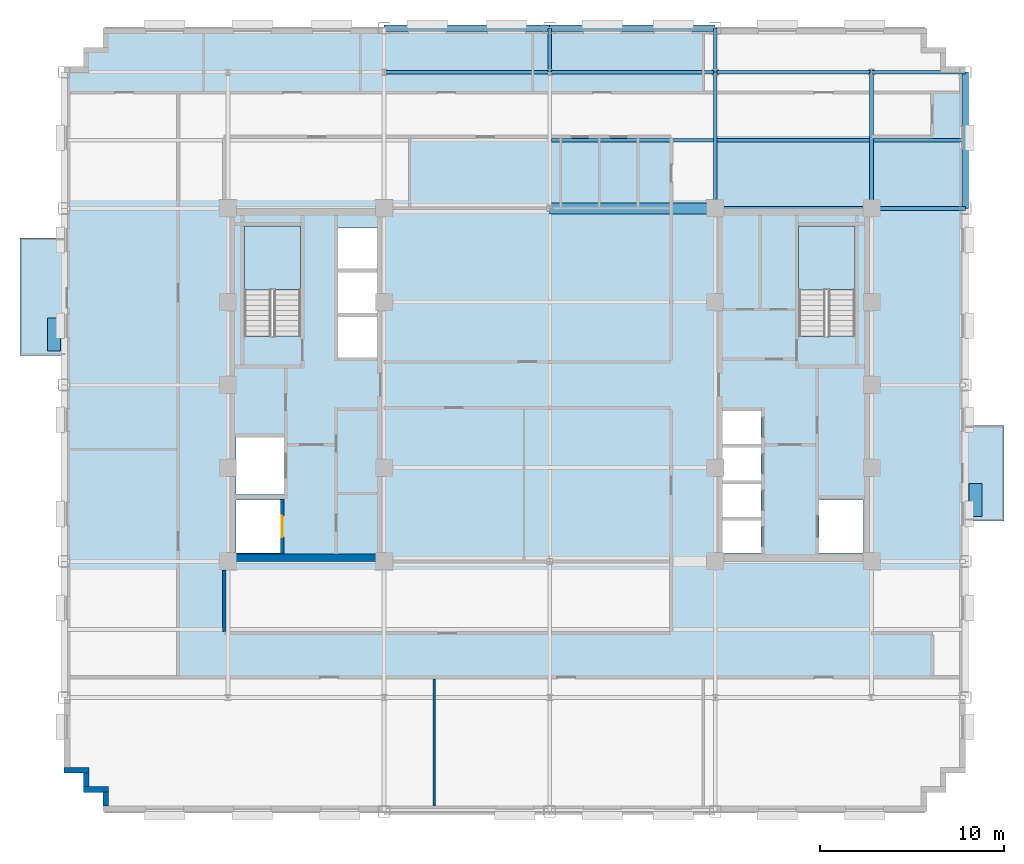
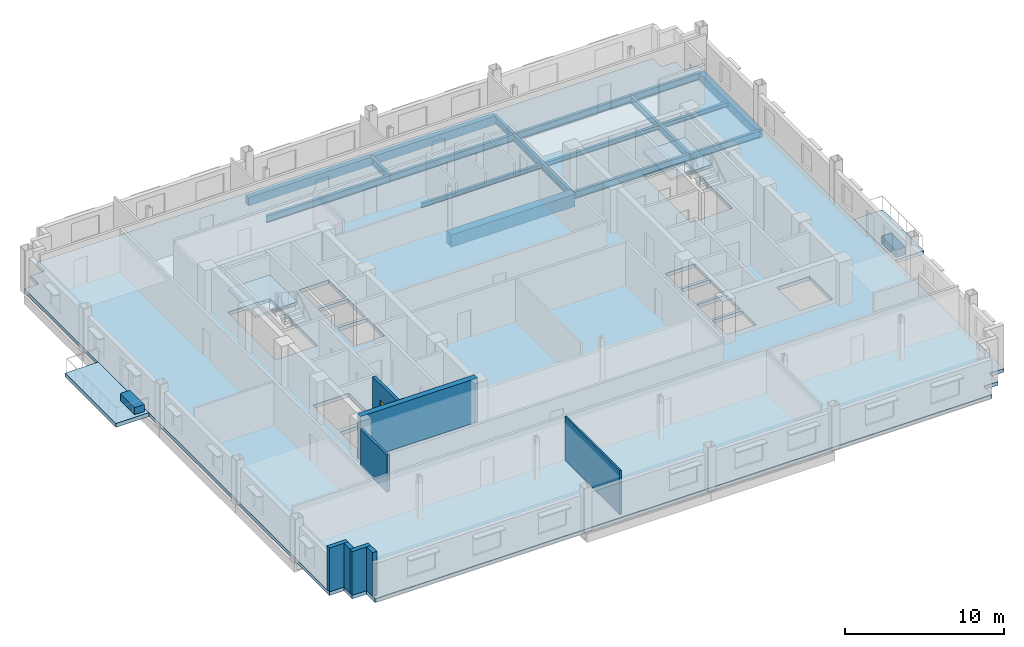
# One storey, part 6 of 14: 17 beams, 8 walls, 5 slabs, 2 plates, 1 door, 1 opening, 2 elements without a shape of their own.
"""IFC4 building model written with IfcOpenShell, lengths in metres."""

from ifc_helpers import new_model, si_unit, direction, frame, frame_2d, origin, origin_2d, place, context, subcontext, project, spatial, polyline, rectangle, i_section, outline, extrude, source, transform, mapped, material, layer, layer_set, material_profile, profile_set, type_object, type_shapes, element, fill, aggregate, save


model = new_model("IFC4")

# Units and contexts
model_context = context("Model", 3, precision=1e-05, world=origin(), true_north=direction((0.0, 1.0)))
body_context = subcontext(model_context, "Body", "Model", "MODEL_VIEW")
ifc_project = project(units=[si_unit("LENGTHUNIT", "METRE"), si_unit("AREAUNIT", "SQUARE_METRE"), si_unit("VOLUMEUNIT", "CUBIC_METRE"), si_unit("PLANEANGLEUNIT", "RADIAN"), si_unit("MASSUNIT", "GRAM", prefix="KILO")], contexts=[model_context])

# Site, building, storey
site_placement = place(None, origin())
site = spatial("IfcSite", under=ifc_project, at=site_placement, CompositionType="ELEMENT")
building_placement = place(site_placement, origin())
building = spatial("IfcBuilding", under=site, at=building_placement, Name="Nuvemarco Arch Tower", CompositionType="ELEMENT")
storey_placement = place(building_placement, frame((0.0, 0.0, 174.949951171875)))
storey = spatial("IfcBuildingStorey", under=building, at=storey_placement, Name="L46", CompositionType="ELEMENT", Elevation=174.949951171875)

# Beams
ifc_material_1 = material(Name="Concrete C60/75", Category="concrete")
ifc_material_profile_1 = material_profile(ifc_material_1, rectangle(XDim=0.60009765625, YDim=0.949951171875, at=origin_2d()), Name="RC-BM-600x950")
ifc_profile_set_1 = profile_set([ifc_material_profile_1], Name="Concrete C60/75")
beam_type_1 = type_object("IfcBeamType", Name="BM-COUP-RC", PredefinedType="LINTEL", material=ifc_profile_set_1)
beam_1_placement = place(storey_placement, frame((0.0, 9.60009765625, -0.7548828125), z_axis=(1.0, 0.0, 0.0), x_axis=(0.0, 1.0, 0.0)))
element("IfcBeam", 1, at=beam_1_placement, inside=storey, type_object=beam_type_1, Name="L46 structural beam BGEW_L46_0_+9.6_+0.0", PredefinedType="LINTEL", context=body_context, shape_type="SweptSolid", body=[
    extrude(rectangle(XDim=0.60009765625, YDim=0.949951171875, at=origin_2d()), origin(), (0.0, 0.0, 1.0), 9.0),
])
ifc_material_2 = material(Name="Steel S355", Category="steel")
ifc_material_profile_2 = material_profile(ifc_material_2, i_section(OverallWidth=0.2109375, OverallDepth=0.5390625, WebThickness=0.01171875, FlangeThickness=0.018798828125, FilletRadius=0.01611328125, at=origin_2d()), Name="W530x109")
ifc_profile_set_2 = profile_set([ifc_material_profile_2], Name="Steel S355")
beam_type_2 = type_object("IfcBeamType", Name="BM-GIRD-530", PredefinedType="BEAM", material=ifc_profile_set_2)
beam_2_placement = place(storey_placement, frame((0.0, 17.0, -0.549560546875), z_axis=(0.0, 1.0, 0.0), x_axis=(-1.0, 0.0, 0.0)))
element("IfcBeam", 2, at=beam_2_placement, inside=storey, type_object=beam_type_2, Name="L46 structural beam BGNS_L46_0_+0.0_+17.0", PredefinedType="BEAM", context=body_context, shape_type="SweptSolid", body=[
    extrude(i_section(OverallWidth=0.2109375, OverallDepth=0.5390625, WebThickness=0.01171875, FlangeThickness=0.018798828125, FilletRadius=0.01611328125, at=origin_2d()), origin(), (0.0, 0.0, 1.0), 2.39990234375),
])
beam_3_placement = place(storey_placement, frame((9.0, 9.60009765625, -0.549560546875), z_axis=(0.0, 1.0, 0.0), x_axis=(-1.0, 0.0, 0.0)))
element("IfcBeam", 3, at=beam_3_placement, inside=storey, type_object=beam_type_2, Name="L46 structural beam BGNS_L46_0_+9.0_+9.6", PredefinedType="BEAM", context=body_context, shape_type="SweptSolid", body=[
    extrude(i_section(OverallWidth=0.2109375, OverallDepth=0.5390625, WebThickness=0.01171875, FlangeThickness=0.018798828125, FilletRadius=0.01611328125, at=origin_2d()), origin(), (0.0, 0.0, 1.0), 7.39990234375),
])
beam_4_placement = place(storey_placement, frame((9.0, 17.0, -0.549560546875), z_axis=(0.0, 1.0, 0.0), x_axis=(-1.0, 0.0, 0.0)))
element("IfcBeam", 4, at=beam_4_placement, inside=storey, type_object=beam_type_2, Name="L46 structural beam BGNS_L46_0_+9.0_+17.0", PredefinedType="BEAM", context=body_context, shape_type="SweptSolid", body=[
    extrude(i_section(OverallWidth=0.2109375, OverallDepth=0.5390625, WebThickness=0.01171875, FlangeThickness=0.018798828125, FilletRadius=0.01611328125, at=origin_2d()), origin(), (0.0, 0.0, 1.0), 2.39990234375),
])
beam_5_placement = place(storey_placement, frame((17.5, 9.60009765625, -0.549560546875), z_axis=(0.0, 1.0, 0.0), x_axis=(-1.0, 0.0, 0.0)))
element("IfcBeam", 5, at=beam_5_placement, inside=storey, type_object=beam_type_2, Name="L46 structural beam BGNS_L46_0_+17.5_+9.6", PredefinedType="BEAM", context=body_context, shape_type="SweptSolid", body=[
    extrude(i_section(OverallWidth=0.2109375, OverallDepth=0.5390625, WebThickness=0.01171875, FlangeThickness=0.018798828125, FilletRadius=0.01611328125, at=origin_2d()), origin(), (0.0, 0.0, 1.0), 7.39990234375),
])
beam_6_placement = place(storey_placement, frame((9.0, 9.60009765625, -0.549560546875), z_axis=(1.0, 0.0, 0.0), x_axis=(0.0, 1.0, 0.0)))
element("IfcBeam", 6, at=beam_6_placement, inside=storey, type_object=beam_type_2, Name="L46 structural beam BGEW_L46_0_+9.6_+9.0", PredefinedType="BEAM", context=body_context, shape_type="SweptSolid", body=[
    extrude(i_section(OverallWidth=0.2109375, OverallDepth=0.5390625, WebThickness=0.01171875, FlangeThickness=0.018798828125, FilletRadius=0.01611328125, at=origin_2d()), origin(), (0.0, 0.0, 1.0), 8.5),
])
beam_7_placement = place(storey_placement, frame((17.5, 9.60009765625, -0.549560546875), z_axis=(1.0, 0.0, 0.0), x_axis=(0.0, 1.0, 0.0)))
element("IfcBeam", 7, at=beam_7_placement, inside=storey, type_object=beam_type_2, Name="L46 structural beam BGEW_L46_0_+9.6_+17.5", PredefinedType="BEAM", context=body_context, shape_type="SweptSolid", body=[
    extrude(i_section(OverallWidth=0.2109375, OverallDepth=0.5390625, WebThickness=0.01171875, FlangeThickness=0.018798828125, FilletRadius=0.01611328125, at=origin_2d()), origin(), (0.0, 0.0, 1.0), 5.10009765625),
])
for number, where, z_axis, x_axis, name in (
    (8, (-9.0, 17.0, -0.549560546875), (1.0, 0.0, 0.0), (0.0, 1.0, 0.0), "L46 structural beam BGEW_L46_0_+17.0_-9.0"),
    (9, (0.0, 17.0, -0.549560546875), (1.0, 0.0, 0.0), (0.0, 1.0, 0.0), "L46 structural beam BGEW_L46_0_+17.0_+0.0"),
):
    element("IfcBeam", number, at=place(storey_placement, frame(where, z_axis=z_axis, x_axis=x_axis)), inside=storey, type_object=beam_type_2, Name=name, PredefinedType="BEAM", context=body_context, shape_type="SweptSolid", body=[
        extrude(i_section(OverallWidth=0.2109375, OverallDepth=0.5390625, WebThickness=0.01171875, FlangeThickness=0.018798828125, FilletRadius=0.01611328125, at=origin_2d()), origin(), (0.0, 0.0, 1.0), 9.0),
    ])
beam_8_placement = place(storey_placement, frame((9.0, 17.0, -0.549560546875), z_axis=(1.0, 0.0, 0.0), x_axis=(0.0, 1.0, 0.0)))
element("IfcBeam", 10, at=beam_8_placement, inside=storey, type_object=beam_type_2, Name="L46 structural beam BGEW_L46_0_+17.0_+9.0", PredefinedType="BEAM", context=body_context, shape_type="SweptSolid", body=[
    extrude(i_section(OverallWidth=0.2109375, OverallDepth=0.5390625, WebThickness=0.01171875, FlangeThickness=0.018798828125, FilletRadius=0.01611328125, at=origin_2d()), origin(), (0.0, 0.0, 1.0), 8.5),
])
beam_9_placement = place(storey_placement, frame((17.5, 17.0, -0.549560546875), z_axis=(1.0, 0.0, 0.0), x_axis=(0.0, 1.0, 0.0)))
element("IfcBeam", 11, at=beam_9_placement, inside=storey, type_object=beam_type_2, Name="L46 structural beam BGEW_L46_0_+17.0_+17.5", PredefinedType="BEAM", context=body_context, shape_type="SweptSolid", body=[
    extrude(i_section(OverallWidth=0.2109375, OverallDepth=0.5390625, WebThickness=0.01171875, FlangeThickness=0.018798828125, FilletRadius=0.01611328125, at=origin_2d()), origin(), (0.0, 0.0, 1.0), 5.10009765625),
])
ifc_material_profile_3 = material_profile(ifc_material_2, i_section(OverallWidth=0.202880859375, OverallDepth=0.346923828125, WebThickness=0.0078125, FlangeThickness=0.013427734375, FilletRadius=0.014892578125, at=origin_2d()), Name="W360x64")
ifc_profile_set_3 = profile_set([ifc_material_profile_3], Name="Steel S355")
beam_type_3 = type_object("IfcBeamType", Name="BM-JOIST-360", PredefinedType="JOIST", material=ifc_profile_set_3)
beam_10_placement = place(storey_placement, frame((0.10546875, 13.300048828125, -0.453369140625), z_axis=(1.0, 0.0, 0.0), x_axis=(0.0, 1.0, 0.0)))
element("IfcBeam", 12, at=beam_10_placement, inside=storey, type_object=beam_type_3, Name="L46 structural beam BJ_L46_0_+13.3_+0.0", PredefinedType="JOIST", context=body_context, shape_type="SweptSolid", body=[
    extrude(i_section(OverallWidth=0.202880859375, OverallDepth=0.346923828125, WebThickness=0.0078125, FlangeThickness=0.013427734375, FilletRadius=0.014892578125, at=origin_2d()), origin(), (0.0, 0.0, 1.0), 8.7890625),
])
beam_11_placement = place(storey_placement, frame((9.10546875, 13.300048828125, -0.453369140625), z_axis=(1.0, 0.0, 0.0), x_axis=(0.0, 1.0, 0.0)))
element("IfcBeam", 13, at=beam_11_placement, inside=storey, type_object=beam_type_3, Name="L46 structural beam BJ_L46_0_+13.3_+9.0", PredefinedType="JOIST", context=body_context, shape_type="SweptSolid", body=[
    extrude(i_section(OverallWidth=0.202880859375, OverallDepth=0.346923828125, WebThickness=0.0078125, FlangeThickness=0.013427734375, FilletRadius=0.014892578125, at=origin_2d()), origin(), (0.0, 0.0, 1.0), 8.2890625),
])
beam_12_placement = place(storey_placement, frame((17.60546875, 13.300048828125, -0.453369140625), z_axis=(1.0, 0.0, 0.0), x_axis=(0.0, 1.0, 0.0)))
element("IfcBeam", 14, at=beam_12_placement, inside=storey, type_object=beam_type_3, Name="L46 structural beam BJ_L46_0_+13.3_+17.5", PredefinedType="JOIST", context=body_context, shape_type="SweptSolid", body=[
    extrude(i_section(OverallWidth=0.202880859375, OverallDepth=0.346923828125, WebThickness=0.0078125, FlangeThickness=0.013427734375, FilletRadius=0.014892578125, at=origin_2d()), origin(), (0.0, 0.0, 1.0), 4.819580078125),
])
ifc_material_3 = material(Name="Precast concrete C45/55", Category="concrete")
ifc_material_profile_4 = material_profile(ifc_material_3, rectangle(XDim=0.35009765625, YDim=0.64990234375, at=origin_2d()), Name="PC-SP-350x650")
ifc_profile_set_4 = profile_set([ifc_material_profile_4], Name="Precast concrete C45/55")
beam_type_4 = type_object("IfcBeamType", Name="BM-SPAN-RC", PredefinedType="SPANDREL", material=ifc_profile_set_4)
beam_13_placement = place(storey_placement, frame((22.60009765625, 9.60009765625, -0.60498046875), z_axis=(0.0, 1.0, 0.0), x_axis=(-1.0, 0.0, 0.0)))
element("IfcBeam", 15, at=beam_13_placement, inside=storey, type_object=beam_type_4, Name="L46 structural beam BGNS_L46_0_+22.6_+9.6", PredefinedType="SPANDREL", context=body_context, shape_type="SweptSolid", body=[
    extrude(rectangle(XDim=0.35009765625, YDim=0.64990234375, at=origin_2d()), origin(), (0.0, 0.0, 1.0), 7.39990234375),
])
for number, where, z_axis, x_axis, name in (
    (16, (-9.0, 19.39990234375, -0.60498046875), (1.0, 0.0, 0.0), (0.0, 1.0, 0.0), "L46 structural beam BGEW_L46_0_+19.4_-9.0"),
    (17, (0.0, 19.39990234375, -0.60498046875), (1.0, 0.0, 0.0), (0.0, 1.0, 0.0), "L46 structural beam BGEW_L46_0_+19.4_+0.0"),
):
    element("IfcBeam", number, at=place(storey_placement, frame(where, z_axis=z_axis, x_axis=x_axis)), inside=storey, type_object=beam_type_4, Name=name, PredefinedType="SPANDREL", context=body_context, shape_type="SweptSolid", body=[
        extrude(rectangle(XDim=0.35009765625, YDim=0.64990234375, at=origin_2d()), origin(), (0.0, 0.0, 1.0), 9.0),
    ])

# Slab
ifc_material_4 = material(Name="Concrete C50/60", Category="concrete")
ifc_layer_1 = layer(ifc_material_4, 0.280029296875, Name="SL-FLR-280")
ifc_layer_set_1 = layer_set([ifc_layer_1], Name="Concrete C50/60")
slab_type_1 = type_object("IfcSlabType", Name="SL-FLR-280", PredefinedType="FLOOR", material=ifc_layer_set_1)
slab_1_placement = place(storey_placement, frame((0.0, 0.0, -0.280029296875)))
element("IfcSlab", 18, at=slab_1_placement, inside=storey, type_object=slab_type_1, Name="L46 structural floor slab", PredefinedType="FLOOR", context=body_context, shape_type="SweptSolid", body=[
    extrude(outline(polyline([(-24.300048828125, -23.199951171875), (20.5, -23.199951171875), (20.5, -22.14990234375), (21.550048828125, -22.14990234375), (21.550048828125, -21.10009765625), (22.60009765625, -21.10009765625), (22.60009765625, 17.300048828125), (21.550048828125, 17.300048828125), (21.550048828125, 18.35009765625), (20.5, 18.35009765625), (20.5, 19.39990234375), (-24.300048828125, 19.39990234375), (-24.300048828125, 18.35009765625), (-25.35009765625, 18.35009765625), (-25.35009765625, 17.300048828125), (-26.39990234375, 17.300048828125), (-26.39990234375, -21.10009765625), (-25.35009765625, -21.10009765625), (-25.35009765625, -22.14990234375), (-24.300048828125, -22.14990234375), (-24.300048828125, -23.199951171875)]), holes=[polyline([(-13.5400390625, 2.669921875), (-13.5400390625, 8.64990234375), (-16.60009765625, 8.64990234375), (-16.60009765625, 2.630615234375), (-15.070068359375, 2.630615234375), (-15.070068359375, 2.669921875), (-13.5400390625, 2.669921875)]), polyline([(16.60009765625, 2.669921875), (16.60009765625, 8.64990234375), (13.5400390625, 8.64990234375), (13.5400390625, 2.630615234375), (15.070068359375, 2.630615234375), (15.070068359375, 2.669921875), (16.60009765625, 2.669921875)]), polyline([(-17.050048828125, -9.14990234375), (-14.64990234375, -9.14990234375), (-14.64990234375, -6.25), (-17.050048828125, -6.25), (-17.050048828125, -9.14990234375)]), polyline([(-17.050048828125, -5.949951171875), (-14.449951171875, -5.949951171875), (-14.449951171875, -2.85009765625), (-17.050048828125, -2.85009765625), (-17.050048828125, -5.949951171875)]), polyline([(-11.5, 1.5), (-9.35009765625, 1.5), (-9.35009765625, 3.699951171875), (-11.5, 3.699951171875), (-11.5, 1.5)]), polyline([(-11.5, 3.919921875), (-9.35009765625, 3.919921875), (-9.35009765625, 6.1201171875), (-11.5, 6.1201171875), (-11.5, 3.919921875)]), polyline([(-11.5, 6.340087890625), (-9.35009765625, 6.340087890625), (-9.35009765625, 8.5400390625), (-11.5, 8.5400390625), (-11.5, 6.340087890625)]), polyline([(14.64990234375, -9.14990234375), (17.050048828125, -9.14990234375), (17.050048828125, -6.25), (14.64990234375, -6.25), (14.64990234375, -9.14990234375)]), polyline([(9.35009765625, -9.14990234375), (11.5, -9.14990234375), (11.5, -7.3701171875), (9.35009765625, -7.3701171875), (9.35009765625, -9.14990234375)]), polyline([(9.35009765625, -7.169921875), (11.5, -7.169921875), (11.5, -5.389892578125), (9.35009765625, -5.389892578125), (9.35009765625, -7.169921875)]), polyline([(9.35009765625, -5.18994140625), (11.5, -5.18994140625), (11.5, -3.409912109375), (9.35009765625, -3.409912109375), (9.35009765625, -5.18994140625)]), polyline([(9.35009765625, -3.2099609375), (11.5, -3.2099609375), (11.5, -1.429931640625), (9.35009765625, -1.429931640625), (9.35009765625, -3.2099609375)])]), origin(), (0.0, 0.0, 1.0), 0.280029296875),
])

# Stair, slab
stair_type = type_object("IfcStairType", Name="ST-CORE-20R", PredefinedType="HALF_TURN_STAIR", material=ifc_material_3)
stair_1_placement = place(storey_placement, origin())
stair_1 = element("IfcStair", 19, at=stair_1_placement, inside=storey, type_object=stair_type, Name="L46 Protected Exit Stair ST-1", PredefinedType="HALF_TURN_STAIR")
ifc_layer_2 = layer(ifc_material_3, 0.199951171875, Name="SL-LANDING-200")
ifc_layer_set_2 = layer_set([ifc_layer_2], Name="Precast concrete C45/55")
slab_type_2 = type_object("IfcSlabType", Name="SL-LANDING-200", PredefinedType="LANDING", material=ifc_layer_set_2)
slab_2_placement = place(storey_placement, frame((0.0, 0.0, 1.625)))
slab_2 = element("IfcSlab", 20, at=slab_2_placement, type_object=slab_type_2, Name="ST-20R landing 1", PredefinedType="LANDING", context=body_context, shape_type="SweptSolid", body=[
    extrude(outline(polyline([(-13.5400390625, 5.189453125), (-13.5400390625, 8.64990234375), (-16.60009765625, 8.64990234375), (-16.60009765625, 5.169921875), (-15.070068359375, 5.169921875), (-15.070068359375, 5.189453125), (-13.5400390625, 5.189453125)])), origin(), (0.0, 0.0, 1.0), 0.199951171875),
])
aggregate(stair_1, [slab_2])

stair_2_placement = place(storey_placement, origin())
stair_2 = element("IfcStair", 21, at=stair_2_placement, inside=storey, type_object=stair_type, Name="L46 Protected Exit Stair ST-2", PredefinedType="HALF_TURN_STAIR")
slab_3_placement = place(storey_placement, frame((0.0, 0.0, 1.625)))
slab_3 = element("IfcSlab", 22, at=slab_3_placement, type_object=slab_type_2, Name="ST-20R landing 1", PredefinedType="LANDING", context=body_context, shape_type="SweptSolid", body=[
    extrude(outline(polyline([(16.60009765625, 5.189453125), (16.60009765625, 8.64990234375), (13.5400390625, 8.64990234375), (13.5400390625, 5.169921875), (15.070068359375, 5.169921875), (15.070068359375, 5.189453125), (16.60009765625, 5.189453125)])), origin(), (0.0, 0.0, 1.0), 0.199951171875),
])
aggregate(stair_2, [slab_3])

# Slabs
ifc_layer_3 = layer(ifc_material_4, 0.264892578125, Name="SL-TB1")
ifc_layer_set_3 = layer_set([ifc_layer_3], Name="Concrete C50/60")
slab_type_3 = type_object("IfcSlabType", Name="SL-TB1", PredefinedType="FLOOR", material=ifc_layer_set_3)
slab_4_placement = place(storey_placement, frame((0.0, 0.0, -0.264892578125)))
element("IfcSlab", 23, at=slab_4_placement, inside=storey, type_object=slab_type_3, Name="L46 outdoor tree balcony slab 2", PredefinedType="FLOOR", context=body_context, shape_type="SweptSolid", body=[
    extrude(outline(polyline([(22.60009765625, -7.39990234375), (24.699951171875, -7.39990234375), (24.699951171875, -2.199951171875), (22.60009765625, -2.199951171875), (22.60009765625, -7.39990234375)])), origin(), (0.0, 0.0, 1.0), 0.264892578125),
])
ifc_layer_4 = layer(ifc_material_4, 0.294921875, Name="SL-TR4")
ifc_layer_set_4 = layer_set([ifc_layer_4], Name="Concrete C50/60")
slab_type_4 = type_object("IfcSlabType", Name="SL-TR4", PredefinedType="FLOOR", material=ifc_layer_set_4)
slab_5_placement = place(storey_placement, frame((0.0, 0.0, -0.294921875)))
element("IfcSlab", 24, at=slab_5_placement, inside=storey, type_object=slab_type_4, Name="L46 outdoor spiral terrace slab 1", PredefinedType="FLOOR", context=body_context, shape_type="SweptSolid", body=[
    extrude(outline(polyline([(-28.800048828125, 1.60009765625), (-26.39990234375, 1.60009765625), (-26.39990234375, 8.0), (-28.800048828125, 8.0), (-28.800048828125, 1.60009765625)])), origin(), (0.0, 0.0, 1.0), 0.294921875),
])

# Plates
ifc_layer_5 = layer(ifc_material_3, 0.550048828125, Name="Tree Balcony Structural Planter")
ifc_layer_set_5 = layer_set([ifc_layer_5], Name="Precast concrete C45/55")
plate_type = type_object("IfcPlateType", Name="Tree Balcony Structural Planter", PredefinedType="USERDEFINED", material=ifc_layer_set_5)
shared_shape_1 = source(origin(), body_context, "Body", "SweptSolid", [
    extrude(rectangle(XDim=1.800048828125, YDim=0.699951171875, at=origin_2d()), origin(), (0.0, 0.0, 1.0), 0.550048828125),
])
type_shapes(plate_type, [shared_shape_1])
for number, where, z_axis, x_axis, name in (
    (25, (-26.949951171875, 2.75, 0.0), (0.0, 0.0, 1.0), (0.0, 1.0, 0.0), "L46 Tree Balcony Structural Planter"),
    (26, (23.14990234375, -6.25, 0.0), (0.0, 0.0, 1.0), (0.0, 1.0, 0.0), "L46 Tree Balcony Structural Planter"),
):
    element("IfcPlate", number, at=place(storey_placement, frame(where, z_axis=z_axis, x_axis=x_axis)), inside=storey, type_object=plate_type, Name=name, ObjectType="PLANTER", PredefinedType="USERDEFINED", context=body_context, shape_type="MappedRepresentation", body=[
        mapped(shared_shape_1, transform((0.0, 0.0, 0.0), scale=1.0)),
    ])

# Walls
ifc_layer_6 = layer(ifc_material_3, 0.31005859375, Name="EW-UPP-310")
ifc_layer_set_6 = layer_set([ifc_layer_6], Name="Precast concrete C45/55")
wall_type_1 = type_object("IfcWallType", Name="EW-UPP-310", PredefinedType="STANDARD", material=ifc_layer_set_6)
wall_1_placement = place(storey_placement, frame((-26.39990234375, -20.945068359375, 0.0), z_axis=(0.0, 0.0, 1.0), x_axis=(1.0, 0.0, 0.0)))
element("IfcWall", 27, at=wall_1_placement, inside=storey, type_object=wall_type_1, Name="L46 exterior precast facade wall 17", PredefinedType="STANDARD", context=body_context, shape_type="SweptSolid", body=[
    extrude(rectangle(XDim=1.35986328125, YDim=0.31005859375, at=frame_2d((0.679931640625, 0.0))), origin(), (0.0, 0.0, 1.0), 3.360107421875),
])
wall_2_placement = place(storey_placement, frame((-25.195068359375, -21.843994140625, 0.0), z_axis=(0.0, 0.0, 1.0), x_axis=(0.0, 1.0, 0.0)))
element("IfcWall", 28, at=wall_2_placement, inside=storey, type_object=wall_type_1, Name="L46 exterior precast facade wall 18", PredefinedType="STANDARD", context=body_context, shape_type="SweptSolid", body=[
    extrude(rectangle(XDim=0.748046875, YDim=0.31005859375, at=frame_2d((0.3740234375, 0.0))), origin(), (0.0, 0.0, 1.0), 3.360107421875),
])
wall_3_placement = place(storey_placement, frame((-25.35009765625, -21.9951171875, 0.0), z_axis=(0.0, 0.0, 1.0), x_axis=(1.0, 0.0, 0.0)))
element("IfcWall", 29, at=wall_3_placement, inside=storey, type_object=wall_type_1, Name="L46 exterior precast facade wall 19", PredefinedType="STANDARD", context=body_context, shape_type="SweptSolid", body=[
    extrude(rectangle(XDim=1.360107421875, YDim=0.31005859375, at=frame_2d((0.68017578125, 0.0))), origin(), (0.0, 0.0, 1.0), 3.360107421875),
])
wall_4_placement = place(storey_placement, frame((-24.14501953125, -22.89404296875, 0.0), z_axis=(0.0, 0.0, 1.0), x_axis=(0.0, 1.0, 0.0)))
element("IfcWall", 30, at=wall_4_placement, inside=storey, type_object=wall_type_1, Name="L46 exterior precast facade wall 20", PredefinedType="STANDARD", context=body_context, shape_type="SweptSolid", body=[
    extrude(rectangle(XDim=0.748046875, YDim=0.31005859375, at=frame_2d((0.3740234375, 0.0))), origin(), (0.0, 0.0, 1.0), 3.360107421875),
])
ifc_layer_7 = layer(ifc_material_1, 0.39990234375, Name="WL-CORE-400")
ifc_layer_set_7 = layer_set([ifc_layer_7], Name="Concrete C60/75")
wall_type_2 = type_object("IfcWallType", Name="WL-CORE-400", PredefinedType="SHEAR", material=ifc_layer_set_7)
wall_5_placement = place(storey_placement, frame((-17.5, -9.39990234375, 0.0), z_axis=(0.0, 0.0, 1.0), x_axis=(1.0, 0.0, 0.0)))
element("IfcWall", 31, at=wall_5_placement, inside=storey, type_object=wall_type_2, Name="L46 W-core shear wall S", PredefinedType="SHEAR", context=body_context, shape_type="SweptSolid", body=[
    extrude(rectangle(XDim=8.5, YDim=0.39990234375, at=frame_2d((4.25, 0.0))), origin(), (0.0, 0.0, 1.0), 3.3701171875),
])
ifc_material_5 = material(Name="Fire-rated gypsum drywall partition")
ifc_layer_8 = layer(ifc_material_5, 0.179931640625, Name="WL-CORR-180")
ifc_layer_set_8 = layer_set([ifc_layer_8], Name="Fire-rated gypsum drywall partition")
wall_type_3 = type_object("IfcWallType", Name="WL-CORR-180", PredefinedType="PARTITIONING", material=ifc_layer_set_8)
wall_6_placement = place(storey_placement, frame((-17.699951171875, -13.4140625, 0.0), z_axis=(0.0, 0.0, 1.0), x_axis=(0.0, 1.0, 0.0)))
element("IfcWall", 32, at=wall_6_placement, inside=storey, type_object=wall_type_3, Name="L46 interior wall IW-L46-016", PredefinedType="PARTITIONING", context=body_context, shape_type="SweptSolid", body=[
    extrude(rectangle(XDim=3.343017578125, YDim=0.179931640625, at=frame_2d((1.67138671875, 0.0))), origin(), (0.0, 0.0, 1.0), 2.816162109375),
])
ifc_material_6 = material(Name="Glazed acoustic office partition")
ifc_layer_9 = layer(ifc_material_6, 0.1298828125, Name="WL-EXEC-130")
ifc_layer_set_9 = layer_set([ifc_layer_9], Name="Glazed acoustic office partition")
wall_type_4 = type_object("IfcWallType", Name="WL-EXEC-130", PredefinedType="PARTITIONING", material=ifc_layer_set_9)
wall_7_placement = place(storey_placement, frame((-6.280029296875, -22.889892578125, 0.0), z_axis=(0.0, 0.0, 1.0), x_axis=(0.0, 1.0, 0.0)))
element("IfcWall", 33, at=wall_7_placement, inside=storey, type_object=wall_type_4, Name="L46 interior wall IW-L46-020", PredefinedType="PARTITIONING", context=body_context, shape_type="SweptSolid", body=[
    extrude(rectangle(XDim=6.90380859375, YDim=0.1298828125, at=frame_2d((3.451904296875, 0.0))), origin(), (0.0, 0.0, 1.0), 3.360107421875),
])

# Wall, opening, door
ifc_layer_10 = layer(ifc_material_4, 0.199951171875, Name="WL-SHAFT-220")
ifc_layer_set_10 = layer_set([ifc_layer_10], Name="Concrete C50/60")
wall_type_5 = type_object("IfcWallType", Name="WL-SHAFT-220", PredefinedType="SHEAR", material=ifc_layer_set_10)
wall_8_placement = place(storey_placement, frame((-14.550048828125, -9.205078125, 0.0), z_axis=(0.0, 0.0, 1.0), x_axis=(0.0, 1.0, 0.0)))
wall_8 = element("IfcWall", 34, at=wall_8_placement, inside=storey, type_object=wall_type_5, Name="L46 structural shaft wall SW-L46-W-SHE", PredefinedType="SHEAR", context=body_context, shape_type="SweptSolid", body=[
    extrude(rectangle(XDim=3.010009765625, YDim=0.199951171875, at=frame_2d((1.5048828125, 0.0))), origin(), (0.0, 0.0, 1.0), 3.3701171875),
])
opening_placement = place(wall_8_placement, frame((0.929931640625, 0.0, 0.0)))
opening = element("IfcOpeningElement", 35, at=opening_placement, cuts=wall_8, Name="Opening LD-2", PredefinedType="OPENING", context=body_context, shape_type="SweptSolid", body=[
    extrude(rectangle(XDim=1.14990234375, YDim=2.14990234375, at=frame_2d((0.574951171875, 1.074951171875))), frame((0.0, 0.10986328125, 0.0), z_axis=(0.0, -1.0, 0.0), x_axis=(1.0, 0.0, 0.0)), (0.0, 0.0, 1.0), 0.219970703125),
])
ifc_material_7 = material(Name="Stainless steel lift door", Category="steel")
door_type = type_object("IfcDoorType", Name="DR-LIFT-FIRE", OperationType="DOUBLE_DOOR_SLIDING", PredefinedType="DOOR", material=ifc_material_7)
shared_shape_2 = source(origin(), body_context, "Body", "SweptSolid", [
    extrude(rectangle(XDim=1.14990234375, YDim=2.14990234375, at=frame_2d((0.574951171875, 1.074951171875))), frame((0.0, 0.02490234375, 0.0), z_axis=(0.0, -1.0, 0.0), x_axis=(1.0, 0.0, 0.0)), (0.0, 0.0, 1.0), 0.050048828125),
])
type_shapes(door_type, [shared_shape_2])
door_placement = place(opening_placement, origin())
door = element("IfcDoor", 36, at=door_placement, inside=storey, type_object=door_type, Name="L46 Lift landing sliding door FFL-1", OperationType="DOUBLE_DOOR_SLIDING", OverallHeight=2.14990234375, OverallWidth=1.14990234375, PredefinedType="DOOR", context=body_context, shape_type="MappedRepresentation", body=[
    mapped(shared_shape_2, transform((0.0, 0.0, 0.0), scale=1.0)),
])
fill(opening, door)

save(model, "model.ifc")
